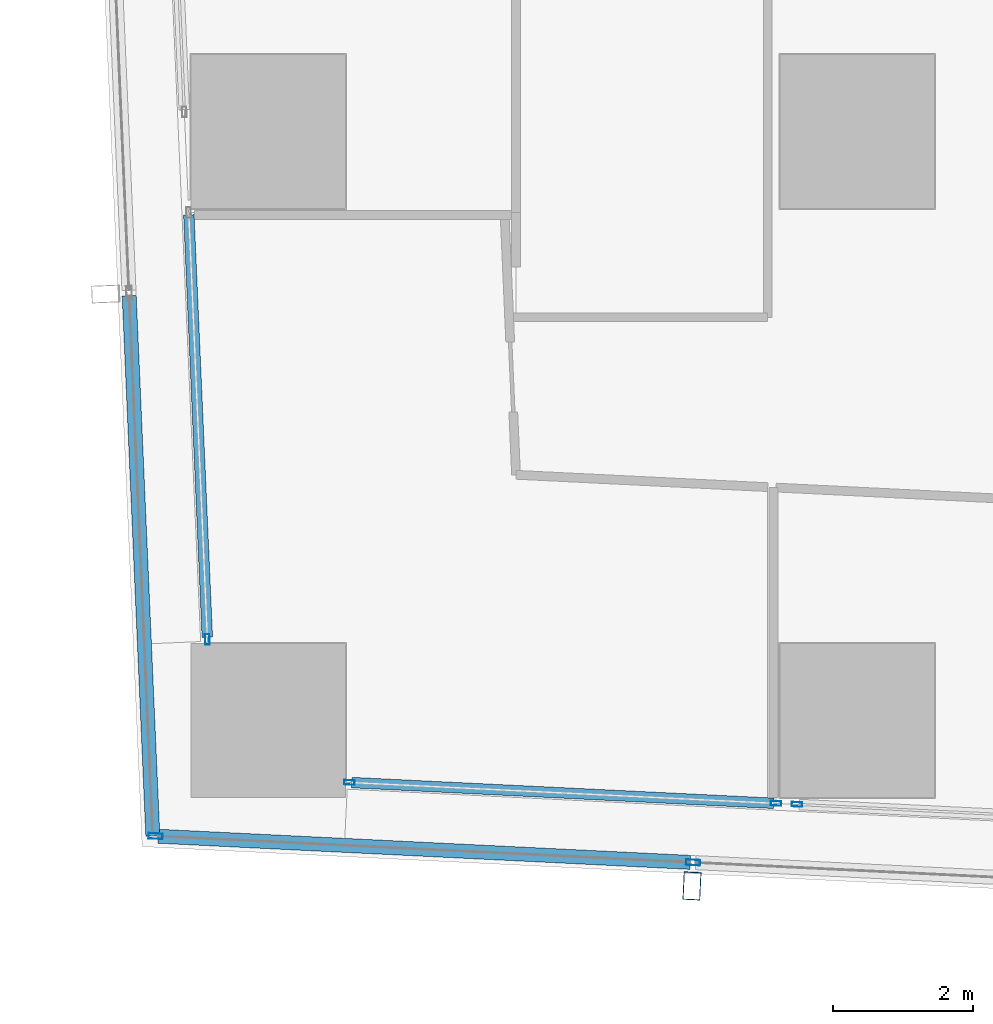
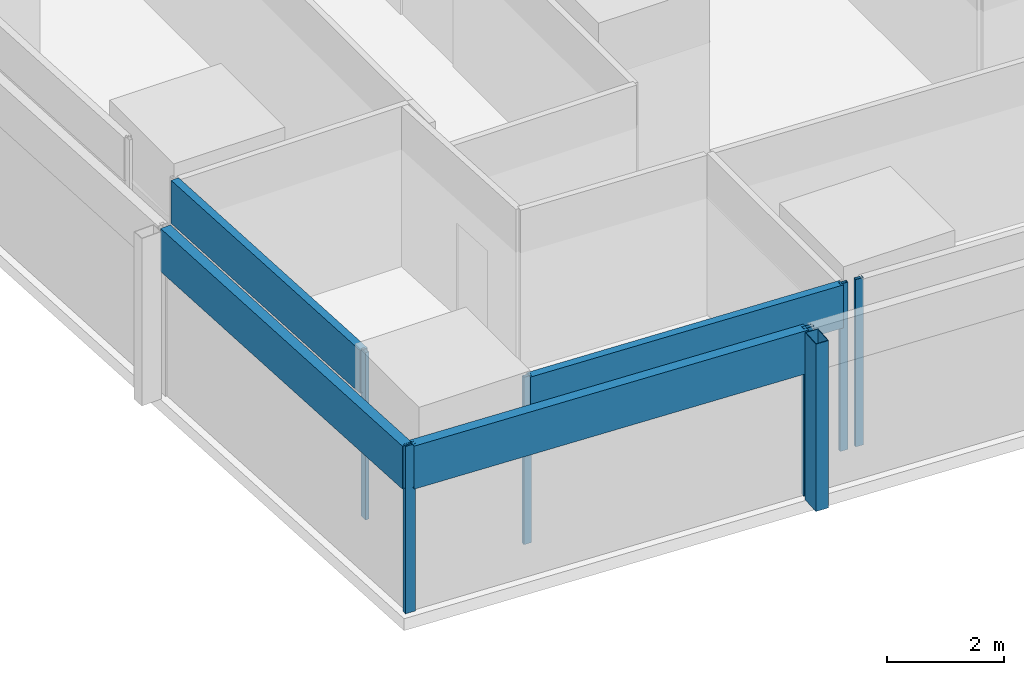
# One storey, part 2 of 45: 11 members, 5 elements without a shape of their own.
"""IFC4 building model written with IfcOpenShell, lengths in metres."""

from ifc_helpers import new_model, si_unit, direction, frame, origin, origin_2d, place, context, subcontext, project, spatial, hollow_rectangle, extrude, material, material_profile, profile_set, type_object, element, aggregate, save


model = new_model("IFC4")

# Units and contexts
model_context = context("Model", 3, precision=1e-05, world=origin(), true_north=direction((0.0, 1.0)))
body_context = subcontext(model_context, "Body", "Model", "MODEL_VIEW")
ifc_project = project(units=[si_unit("LENGTHUNIT", "METRE"), si_unit("AREAUNIT", "SQUARE_METRE"), si_unit("VOLUMEUNIT", "CUBIC_METRE"), si_unit("PLANEANGLEUNIT", "RADIAN"), si_unit("MASSUNIT", "GRAM", prefix="KILO")], contexts=[model_context])

# Site, building, storey
site_placement = place(None, origin())
site = spatial("IfcSite", under=ifc_project, at=site_placement, CompositionType="ELEMENT")
building_placement = place(site_placement, origin())
building = spatial("IfcBuilding", under=site, at=building_placement, Name="Rekha Terrace Tower", CompositionType="ELEMENT")
storey_placement = place(building_placement, frame((0.0, 0.0, 36.64990234375)))
storey = spatial("IfcBuildingStorey", under=building, at=storey_placement, Name="L08", CompositionType="ELEMENT", Elevation=36.64990234375)

# Curtain wall, member
ifc_material_1 = material(Name="Aluminium framing", Category="aluminium")
curtain_wall_type_1 = type_object("IfcCurtainWallType", Name="CW2 double skin outer glazing", PredefinedType="USERDEFINED", material=ifc_material_1)
curtain_wall_1_placement = place(storey_placement, origin())
curtain_wall_1 = element("IfcCurtainWall", 1, at=curtain_wall_1_placement, inside=storey, type_object=curtain_wall_type_1, Name="CW2 double skin outer glazing", ObjectType="DOUBLE SKIN OUTER GLAZING", PredefinedType="USERDEFINED")
ifc_material_2 = material(Name="Steel S355 with fluorocarbon finish", Category="steel")
ifc_material_profile_1 = material_profile(ifc_material_2, hollow_rectangle(XDim=0.25, YDim=0.39990234375, WallThickness=0.012451171875, at=origin_2d()), Name="RHS400x250x12.5")
ifc_profile_set_1 = profile_set([ifc_material_profile_1], Name="Steel S355 with fluorocarbon finish")
member_type_1 = type_object("IfcMemberType", Name="BL1 facade blade RHS 400 x 250", PredefinedType="USERDEFINED", material=ifc_profile_set_1)
member_1_placement = place(storey_placement, frame((14.443603515625, 6.03955078125, 0.0), z_axis=(0.0, 0.0, 1.0), x_axis=(0.998796226835, -0.049051985279, 0.0)))
member_1 = element("IfcMember", 2, at=member_1_placement, type_object=member_type_1, Name="Facade blade", ObjectType="FACADE BLADE", PredefinedType="USERDEFINED", context=body_context, shape_type="SweptSolid", body=[
    extrude(hollow_rectangle(XDim=0.25, YDim=0.39990234375, WallThickness=0.012451171875, at=origin_2d()), origin(), (0.0, 0.0, 1.0), 3.5),
])

# Curtain wall, members
curtain_wall_type_2 = type_object("IfcCurtainWallType", Name="CW1 double skin inner glazing", PredefinedType="USERDEFINED", material=ifc_material_1)
curtain_wall_2_placement = place(storey_placement, origin())
curtain_wall_2 = element("IfcCurtainWall", 3, at=curtain_wall_2_placement, inside=storey, type_object=curtain_wall_type_2, Name="CW1 double skin inner glazing", ObjectType="DOUBLE SKIN INNER GLAZING", PredefinedType="USERDEFINED")
ifc_material_3 = material(Name="Aluminium mullion section", Category="aluminium")
ifc_material_profile_2 = material_profile(ifc_material_3, hollow_rectangle(XDim=0.06494140625, YDim=0.14990234375, WallThickness=0.00390625, at=origin_2d()), Name="AL RHS 65x150")
ifc_profile_set_2 = profile_set([ifc_material_profile_2], Name="Aluminium mullion section")
member_type_2 = type_object("IfcMemberType", Name="CW1 mullion RHS 65 x 150", PredefinedType="MULLION", material=ifc_profile_set_2)
member_2_placement = place(storey_placement, frame((9.55712890625, 7.51611328125, 0.0), z_axis=(0.0, 0.0, 1.0), x_axis=(0.049051717693, 0.998796239977, 0.0)))
member_2 = element("IfcMember", 4, at=member_2_placement, type_object=member_type_2, Name="CW1 mullion 1", PredefinedType="MULLION", context=body_context, shape_type="SweptSolid", body=[
    extrude(hollow_rectangle(XDim=0.06494140625, YDim=0.14990234375, WallThickness=0.00390625, at=origin_2d()), origin(), (0.0, 0.0, 1.0), 3.5),
])
member_3_placement = place(storey_placement, frame((15.642822265625, 7.21728515625, 0.0), z_axis=(0.0, 0.0, 1.0), x_axis=(0.049051717693, 0.998796239977, 0.0)))
member_3 = element("IfcMember", 5, at=member_3_placement, type_object=member_type_2, Name="CW1 mullion 2", PredefinedType="MULLION", context=body_context, shape_type="SweptSolid", body=[
    extrude(hollow_rectangle(XDim=0.06494140625, YDim=0.14990234375, WallThickness=0.00390625, at=origin_2d()), origin(), (0.0, 0.0, 1.0), 3.5),
])

# Curtain wall, member
curtain_wall_3_placement = place(storey_placement, origin())
curtain_wall_3 = element("IfcCurtainWall", 6, at=curtain_wall_3_placement, inside=storey, type_object=curtain_wall_type_2, Name="CW1 double skin inner glazing", ObjectType="DOUBLE SKIN INNER GLAZING", PredefinedType="USERDEFINED")
member_4_placement = place(storey_placement, frame((15.94091796875, 7.20263671875, 0.0), z_axis=(0.0, 0.0, 1.0), x_axis=(0.049051717746, 0.998796239974, 0.0)))
member_4 = element("IfcMember", 7, at=member_4_placement, type_object=member_type_2, Name="CW1 mullion 1", PredefinedType="MULLION", context=body_context, shape_type="SweptSolid", body=[
    extrude(hollow_rectangle(XDim=0.06494140625, YDim=0.14990234375, WallThickness=0.00390625, at=origin_2d()), origin(), (0.0, 0.0, 1.0), 3.5),
])
aggregate(curtain_wall_3, [member_4])

curtain_wall_4_placement = place(storey_placement, origin())
curtain_wall_4 = element("IfcCurtainWall", 8, at=curtain_wall_4_placement, inside=storey, type_object=curtain_wall_type_2, Name="CW1 double skin inner glazing", ObjectType="DOUBLE SKIN INNER GLAZING", PredefinedType="USERDEFINED")
member_5_placement = place(storey_placement, frame((7.53173828125, 9.556640625, 0.0), z_axis=(0.0, 0.0, 1.0), x_axis=(0.999045462129, 0.043682543424, 0.0)))
member_5 = element("IfcMember", 9, at=member_5_placement, type_object=member_type_2, Name="CW1 mullion 2", PredefinedType="MULLION", context=body_context, shape_type="SweptSolid", body=[
    extrude(hollow_rectangle(XDim=0.06494140625, YDim=0.14990234375, WallThickness=0.00390625, at=origin_2d()), origin(), (0.0, 0.0, 1.0), 3.5),
])

# Member
ifc_material_4 = material(Name="Insulated aluminium spandrel box", Category="aluminium")
ifc_material_profile_3 = material_profile(ifc_material_4, hollow_rectangle(XDim=0.14990234375, YDim=0.89990234375, WallThickness=0.0029296875, at=origin_2d()), Name="AL SPANDREL BOX 150x900")
ifc_profile_set_3 = profile_set([ifc_material_profile_3], Name="Insulated aluminium spandrel box")
member_type_3 = type_object("IfcMemberType", Name="CW1 spandrel transom 150 x 900", PredefinedType="USERDEFINED", material=ifc_profile_set_3)
member_6_placement = place(storey_placement, frame((9.589599609375, 7.514404296875, 3.050048828125), z_axis=(0.99879648266, -0.049046775901, 0.0), x_axis=(0.049046775901, 0.99879648266, 0.0)))
member_6 = element("IfcMember", 10, at=member_6_placement, type_object=member_type_3, Name="CW1 spandrel transom 1", ObjectType="TRANSOM", PredefinedType="USERDEFINED", context=body_context, shape_type="SweptSolid", body=[
    extrude(hollow_rectangle(XDim=0.14990234375, YDim=0.89990234375, WallThickness=0.0029296875, at=origin_2d()), origin(), (0.0, 0.0, 1.0), 6.028076171875),
])

aggregate(curtain_wall_2, [member_2, member_3, member_6])

member_7_placement = place(storey_placement, frame((7.26708984375, 15.61083984375, 3.050048828125), z_axis=(0.043663972565, -0.999046273953, 0.0), x_axis=(0.999046273953, 0.043663972565, 0.0)))
member_7 = element("IfcMember", 11, at=member_7_placement, type_object=member_type_3, Name="CW1 spandrel transom 1", ObjectType="TRANSOM", PredefinedType="USERDEFINED", context=body_context, shape_type="SweptSolid", body=[
    extrude(hollow_rectangle(XDim=0.14990234375, YDim=0.89990234375, WallThickness=0.0029296875, at=origin_2d()), origin(), (0.0, 0.0, 1.0), 6.027587890625),
])

aggregate(curtain_wall_4, [member_5, member_7])

ifc_material_profile_4 = material_profile(ifc_material_3, hollow_rectangle(XDim=0.080078125, YDim=0.199951171875, WallThickness=0.00390625, at=origin_2d()), Name="AL RHS 80x200")
ifc_profile_set_4 = profile_set([ifc_material_profile_4], Name="Aluminium mullion section")
member_type_4 = type_object("IfcMemberType", Name="CW2 mullion RHS 80 x 200", PredefinedType="MULLION", material=ifc_profile_set_4)
member_8_placement = place(storey_placement, frame((6.79345703125, 6.750732421875, 0.0), z_axis=(0.0, 0.0, 1.0), x_axis=(0.049051717746, 0.998796239974, 0.0)))
member_8 = element("IfcMember", 12, at=member_8_placement, type_object=member_type_4, Name="CW2 mullion 1", PredefinedType="MULLION", context=body_context, shape_type="SweptSolid", body=[
    extrude(hollow_rectangle(XDim=0.080078125, YDim=0.199951171875, WallThickness=0.00390625, at=origin_2d()), origin(), (0.0, 0.0, 1.0), 3.5),
])

member_9_placement = place(storey_placement, frame((14.4599609375, 6.374267578125, 0.0), z_axis=(0.0, 0.0, 1.0), x_axis=(0.049051717746, 0.998796239974, 0.0)))
member_9 = element("IfcMember", 13, at=member_9_placement, type_object=member_type_4, Name="CW2 mullion 2", PredefinedType="MULLION", context=body_context, shape_type="SweptSolid", body=[
    extrude(hollow_rectangle(XDim=0.080078125, YDim=0.199951171875, WallThickness=0.00390625, at=origin_2d()), origin(), (0.0, 0.0, 1.0), 3.5),
])

ifc_material_profile_5 = material_profile(ifc_material_4, hollow_rectangle(XDim=0.199951171875, YDim=0.89990234375, WallThickness=0.0029296875, at=origin_2d()), Name="AL SPANDREL BOX 200x900")
ifc_profile_set_5 = profile_set([ifc_material_profile_5], Name="Insulated aluminium spandrel box")
member_type_5 = type_object("IfcMemberType", Name="CW2 spandrel transom 200 x 900", PredefinedType="USERDEFINED", material=ifc_profile_set_5)
member_10_placement = place(storey_placement, frame((6.83349609375, 6.748779296875, 3.050048828125), z_axis=(0.99879635036, -0.049049469996, 0.0), x_axis=(0.049049469996, 0.99879635036, 0.0)))
member_10 = element("IfcMember", 14, at=member_10_placement, type_object=member_type_5, Name="CW2 spandrel transom 1", ObjectType="TRANSOM", PredefinedType="USERDEFINED", context=body_context, shape_type="SweptSolid", body=[
    extrude(hollow_rectangle(XDim=0.199951171875, YDim=0.89990234375, WallThickness=0.0029296875, at=origin_2d()), origin(), (0.0, 0.0, 1.0), 7.595458984375),
])

aggregate(curtain_wall_1, [member_8, member_9, member_10, member_1])

# Curtain wall, member
curtain_wall_5_placement = place(storey_placement, origin())
curtain_wall_5 = element("IfcCurtainWall", 15, at=curtain_wall_5_placement, inside=storey, type_object=curtain_wall_type_1, Name="CW2 double skin outer glazing", ObjectType="DOUBLE SKIN OUTER GLAZING", PredefinedType="USERDEFINED")
member_11_placement = place(storey_placement, frame((6.41650390625, 14.45703125, 3.050048828125), z_axis=(0.043688638652, -0.999045195601, 0.0), x_axis=(0.999045195601, 0.043688638652, 0.0)))
member_11 = element("IfcMember", 16, at=member_11_placement, type_object=member_type_5, Name="CW2 spandrel transom 5", ObjectType="TRANSOM", PredefinedType="USERDEFINED", context=body_context, shape_type="SweptSolid", body=[
    extrude(hollow_rectangle(XDim=0.199951171875, YDim=0.89990234375, WallThickness=0.0029296875, at=origin_2d()), origin(), (0.0, 0.0, 1.0), 7.711669921875),
])
aggregate(curtain_wall_5, [member_11])

save(model, "model.ifc")
